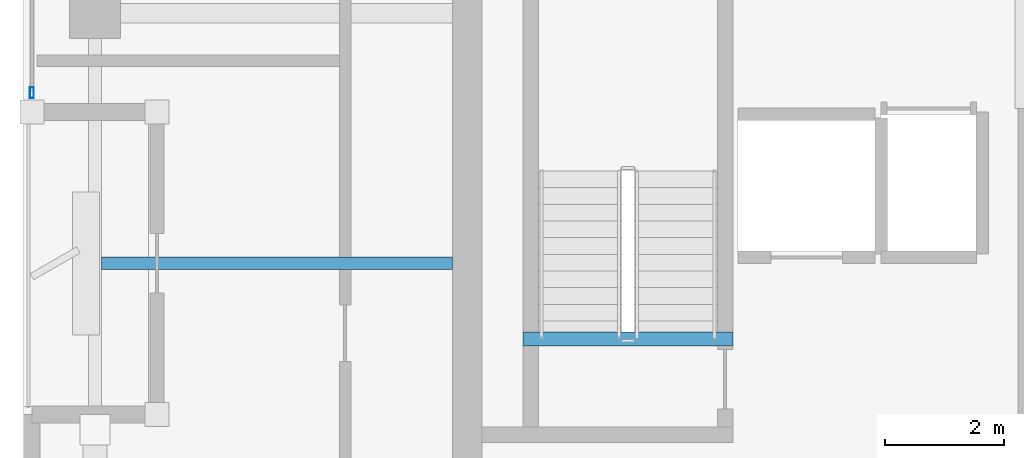
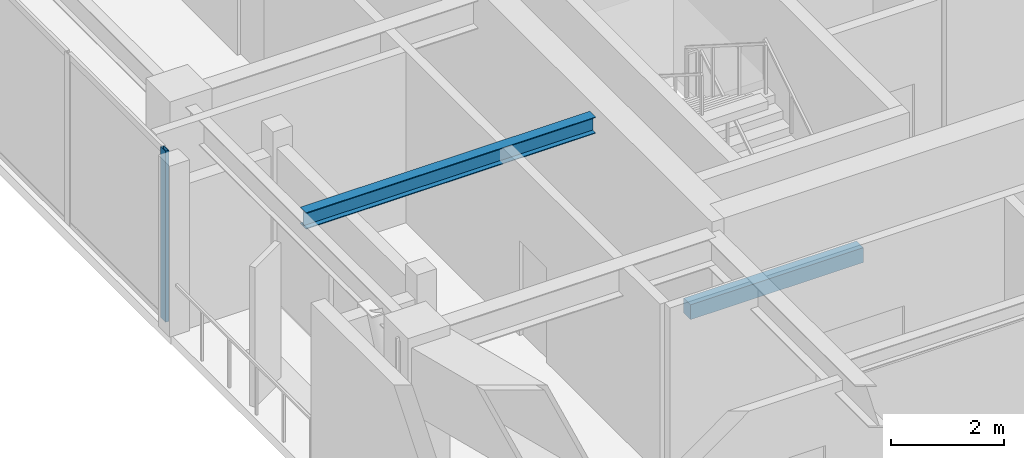
# One storey, part 2 of 16: 2 beams, 1 member, 1 element without a shape of its own.
"""IFC4 building model written with IfcOpenShell, lengths in metres."""

import ifcopenshell
import ifcopenshell.guid

model = None  # the IFC model being written
_history = None  # IfcOwnerHistory: only IFC2X3 demands one
_inside = {}  # id of a spatial element -> (the spatial element, [elements in it])
_under = {}  # id of a project, library or spatial element -> (it, [spatial elements below it])
_declared = {}  # id of a project -> (the project, [libraries it declares])
_typed = {}  # id of a type object -> (the type object, [elements of that type])
_made_of = {}  # id of a material, layer set ... -> (it, [elements and type objects made of it])


def new_model(schema):
    """Start an empty IFC model of exactly this schema.

    Asked for "IFC4X3", IfcOpenShell would pick the latest addendum, in which some entities
    have other attributes; the version numbers below select the first issue.
    IFC2X3 requires an IfcOwnerHistory on every rooted entity: one is made here for all.
    """
    global model, _history
    if schema == "IFC4X3":
        model = ifcopenshell.file(schema_version=(4, 3, 0, 0))
    else:
        model = ifcopenshell.file(schema=schema)
    _inside.clear()
    _under.clear()
    _declared.clear()
    _typed.clear()
    _made_of.clear()
    _history = None
    if model.schema == "IFC2X3":
        org = make("IfcOrganization", Name="unknown")
        user = make(
            "IfcPersonAndOrganization",
            ThePerson=make("IfcPerson", FamilyName="unknown"),
            TheOrganization=org,
        )
        app = make(
            "IfcApplication",
            ApplicationDeveloper=org,
            Version="unknown",
            ApplicationFullName="unknown",
            ApplicationIdentifier="unknown",
        )
        _history = make(
            "IfcOwnerHistory",
            OwningUser=user,
            OwningApplication=app,
            ChangeAction="ADDED",
            CreationDate=0,
        )
    return model


def make(cls, **values):
    """One entity of the class cls with the attributes given. An attribute that is None is left unset."""
    return model.create_entity(
        cls, **{name: value for name, value in values.items() if value is not None}
    )


def rooted(cls, **values):
    """An entity with a GlobalId (a new one), such as an element, a storey or a relation."""
    return make(cls, GlobalId=ifcopenshell.guid.new(), OwnerHistory=_history, **values)


def si_unit(unit_type, name, prefix=None):
    """IfcSIUnit, for example si_unit("LENGTHUNIT", "METRE", prefix="MILLI")."""
    return make("IfcSIUnit", UnitType=unit_type, Prefix=prefix, Name=name)


def assignment(units):
    """IfcUnitAssignment: the units of a project."""
    return None if units is None else make("IfcUnitAssignment", Units=units)


def point(xyz):
    """IfcCartesianPoint."""
    return None if xyz is None else make("IfcCartesianPoint", Coordinates=xyz)


def direction(xyz):
    """IfcDirection."""
    return None if xyz is None else make("IfcDirection", DirectionRatios=xyz)


def frame(location, z_axis=None, x_axis=None):
    """IfcAxis2Placement3D, a coordinate frame: its origin and axes. An axis left out is left unset."""
    return make(
        "IfcAxis2Placement3D",
        Location=point(location),
        Axis=direction(z_axis),
        RefDirection=direction(x_axis),
    )


def frame_2d(location, x_axis=None):
    """IfcAxis2Placement2D, a coordinate frame in the plane: its origin and x axis."""
    return make(
        "IfcAxis2Placement2D", Location=point(location), RefDirection=direction(x_axis)
    )


def origin():
    """The frame at (0, 0, 0) with its axes left unset."""
    return frame((0.0, 0.0, 0.0))


def origin_2d():
    """The frame at (0, 0) in the plane with its x axis left unset."""
    return frame_2d((0.0, 0.0))


def place(relative_to, where):
    """IfcLocalPlacement: puts the frame where relative to a parent placement (None: the world)."""
    return make(
        "IfcLocalPlacement", PlacementRelTo=relative_to, RelativePlacement=where
    )


def context(
    kind, dimensions, precision=None, world=None, true_north=None, identifier=None
):
    """IfcGeometricRepresentationContext, for example the 3D "Model" context."""
    return make(
        "IfcGeometricRepresentationContext",
        ContextIdentifier=identifier,
        ContextType=kind,
        CoordinateSpaceDimension=dimensions,
        Precision=precision,
        WorldCoordinateSystem=world,
        TrueNorth=true_north,
    )


def subcontext(parent, identifier, kind, view, scale=None):
    """IfcGeometricRepresentationSubContext, for example "Body" below "Model"."""
    return make(
        "IfcGeometricRepresentationSubContext",
        ContextIdentifier=identifier,
        ContextType=kind,
        ParentContext=parent,
        TargetScale=scale,
        TargetView=view,
    )


def project(units=None, contexts=None):
    """IfcProject with its units and contexts."""
    return rooted(
        "IfcProject",
        Name="project",
        RepresentationContexts=contexts,
        UnitsInContext=assignment(units),
    )


def spatial(cls, under=None, at=None, **own):
    """A site, building, storey or space (cls), placed at a placement, below another one or the project."""
    s = rooted(cls, ObjectPlacement=at, **own)
    if under is not None:
        _under.setdefault(under.id(), (under, []))[1].append(s)
    return s


def profile(cls, at=None, kind="AREA", **sizes):
    """A parametric profile (cls). Its sizes go by their IFC names, for example OverallWidth=200.0."""
    return make(cls, ProfileType=kind, Position=at, **sizes)


def rectangle(**sizes):
    """IfcRectangleProfileDef."""
    return profile("IfcRectangleProfileDef", **sizes)


def hollow_rectangle(**sizes):
    """IfcRectangleHollowProfileDef."""
    return profile("IfcRectangleHollowProfileDef", **sizes)


def i_section(**sizes):
    """IfcIShapeProfileDef."""
    return profile("IfcIShapeProfileDef", **sizes)


def extrude(swept, where, along, depth):
    """IfcExtrudedAreaSolid: the profile swept, set in the frame where, extruded along a direction by depth."""
    return make(
        "IfcExtrudedAreaSolid",
        SweptArea=swept,
        Position=where,
        ExtrudedDirection=direction(along),
        Depth=depth,
    )


def shape(context_of_items, identifier, shape_type, items):
    """IfcShapeRepresentation: the items that make up one representation, for example the "Body"."""
    return make(
        "IfcShapeRepresentation",
        ContextOfItems=context_of_items,
        RepresentationIdentifier=identifier,
        RepresentationType=shape_type,
        Items=items,
    )


def material(Name=None, Category=None):
    """IfcMaterial."""
    return make("IfcMaterial", Name=Name, Category=Category)


def layer(
    of_material, thickness, ventilated=None, Name=None, Category=None, Priority=None
):
    """IfcMaterialLayer: one layer of a wall or slab, of a material (None: an air gap)."""
    return make(
        "IfcMaterialLayer",
        Material=of_material,
        LayerThickness=thickness,
        IsVentilated=ventilated,
        Name=Name,
        Category=Category,
        Priority=Priority,
    )


def layer_set(layers, Name=None):
    """IfcMaterialLayerSet."""
    return make("IfcMaterialLayerSet", MaterialLayers=layers, LayerSetName=Name)


def material_profile(
    of_material, cross_section, Name=None, Category=None, Priority=None
):
    """IfcMaterialProfile: a cross section and its material."""
    return make(
        "IfcMaterialProfile",
        Name=Name,
        Material=of_material,
        Profile=cross_section,
        Priority=Priority,
        Category=Category,
    )


def profile_set(profiles, Name=None, composite=None):
    """IfcMaterialProfileSet."""
    return make(
        "IfcMaterialProfileSet",
        Name=Name,
        MaterialProfiles=profiles,
        CompositeProfile=composite,
    )


def made_of(thing, what):
    """Note that an element or type object is made of a material, layer set ...; save() writes the relation."""
    if what is not None:
        _made_of.setdefault(what.id(), (what, []))[1].append(thing)
    return thing


def type_object(cls, material=None, **own):
    """A type object (cls), such as IfcWallType, which elements share."""
    return made_of(rooted(cls, **own), material)


def element(
    cls,
    number,
    at=None,
    inside=None,
    cuts=None,
    type_object=None,
    material=None,
    context=None,
    identifier="Body",
    shape_type=None,
    held_by="IfcProductDefinitionShape",
    body=None,
    shapes=None,
    **own,
):
    """One element of the class cls, such as IfcWall. Its Tag is "e" and its number.

    at: its placement. inside: the storey or other place that contains it. cuts: it is an
    opening in that element (IfcRelVoidsElement). A single representation is given by context,
    identifier, shape_type and body (its items); several are given by shapes. held_by: the class
    of the entity that holds the representations. save() writes the other relations.
    """
    e = rooted(cls, Tag="e%d" % number, ObjectPlacement=at, **own)
    if body is not None:
        shapes = [shape(context, identifier, shape_type, body)]
    if shapes is not None:
        e.Representation = make(held_by, Representations=shapes)
    if inside is not None:
        _inside.setdefault(inside.id(), (inside, []))[1].append(e)
    if cuts is not None:
        rooted(
            "IfcRelVoidsElement", RelatingBuildingElement=cuts, RelatedOpeningElement=e
        )
    if type_object is not None:
        _typed.setdefault(type_object.id(), (type_object, []))[1].append(e)
    return made_of(e, material)


def aggregate(whole, parts):
    """IfcRelAggregates: a whole, such as a stair, and the parts it consists of."""
    return rooted("IfcRelAggregates", RelatingObject=whole, RelatedObjects=parts)


def save(model, path):
    """Write the relations noted so far, then the file.

    IfcRelAggregates (storeys below a building ...), IfcRelContainedInSpatialStructure (elements
    in a storey), IfcRelDefinesByType, IfcRelAssociatesMaterial and IfcRelDeclares: one each for
    every whole, place, type object, material and project.
    """
    for whole, parts in _under.values():
        aggregate(whole, parts)
    for where, things in _inside.values():
        rooted(
            "IfcRelContainedInSpatialStructure",
            RelatedElements=things,
            RelatingStructure=where,
        )
    for kind, things in _typed.values():
        rooted("IfcRelDefinesByType", RelatedObjects=things, RelatingType=kind)
    for what, things in _made_of.values():
        rooted("IfcRelAssociatesMaterial", RelatedObjects=things, RelatingMaterial=what)
    for by, libraries in _declared.values():
        rooted("IfcRelDeclares", RelatingContext=by, RelatedDefinitions=libraries)
    model.write(path)


model = new_model("IFC4")

# Units and contexts
model_context = context("Model", 3, precision=1e-05, world=origin(), true_north=direction((0.0, 1.0)))
body_context = subcontext(model_context, "Body", "Model", "MODEL_VIEW")
ifc_project = project(units=[si_unit("LENGTHUNIT", "METRE"), si_unit("AREAUNIT", "SQUARE_METRE"), si_unit("VOLUMEUNIT", "CUBIC_METRE"), si_unit("PLANEANGLEUNIT", "RADIAN"), si_unit("MASSUNIT", "GRAM", prefix="KILO")], contexts=[model_context])

# Site, building, storey
site_placement = place(None, origin())
site = spatial("IfcSite", under=ifc_project, at=site_placement, CompositionType="ELEMENT")
building_placement = place(site_placement, origin())
building = spatial("IfcBuilding", under=site, at=building_placement, Name="Kiyonajd Concourse Tower", CompositionType="ELEMENT")
storey_placement = place(building_placement, frame((0.0, 0.0, 333.60009765625)))
storey = spatial("IfcBuildingStorey", under=building, at=storey_placement, Name="L84", CompositionType="ELEMENT", Elevation=333.60009765625)

# Beams
ifc_material_1 = material(Name="Steel ASTM A992 Grade 50", Category="steel")
ifc_material_profile_1 = material_profile(ifc_material_1, i_section(OverallWidth=0.205078125, OverallDepth=0.35400390625, WebThickness=0.009521484375, FlangeThickness=0.016845703125, at=origin_2d()), Name="W360X79")
ifc_profile_set_1 = profile_set([ifc_material_profile_1], Name="Steel ASTM A992 Grade 50")
beam_type_1 = type_object("IfcBeamType", Name="BM-JST-360", PredefinedType="JOIST", material=ifc_profile_set_1)
beam_1_placement = place(storey_placement, frame((26.505615234375, 31.800048828125, 3.5029296875), z_axis=(1.0, 0.0, 0.0), x_axis=(0.0, 1.0, 0.0)))
element("IfcBeam", 1, at=beam_1_placement, inside=storey, type_object=beam_type_1, Name="L84 West Secondary Floor Joist", PredefinedType="JOIST", context=body_context, shape_type="SweptSolid", body=[
    extrude(i_section(OverallWidth=0.205078125, OverallDepth=0.35400390625, WebThickness=0.009521484375, FlangeThickness=0.016845703125, at=origin_2d()), origin(), (0.0, 0.0, 1.0), 5.894287109375),
])
ifc_material_2 = material(Name="Concrete C50/60", Category="concrete")
ifc_material_profile_2 = material_profile(ifc_material_2, rectangle(XDim=0.239990234375, YDim=0.320068359375, at=origin_2d()), Name="RCBM-240x320")
ifc_profile_set_2 = profile_set([ifc_material_profile_2], Name="Concrete C50/60")
beam_type_2 = type_object("IfcBeamType", Name="BM-LNT-250", PredefinedType="LINTEL", material=ifc_profile_set_2)
beam_2_placement = place(storey_placement, frame((33.590087890625, 30.530029296875, -0.16015625), z_axis=(1.0, 0.0, 0.0), x_axis=(0.0, 1.0, 0.0)))
element("IfcBeam", 2, at=beam_2_placement, inside=storey, type_object=beam_type_2, Name="L84 Stair ST1 Threshold Support Beam", PredefinedType="LINTEL", context=body_context, shape_type="SweptSolid", body=[
    extrude(rectangle(XDim=0.239990234375, YDim=0.320068359375, at=origin_2d()), origin(), (0.0, 0.0, 1.0), 3.52001953125),
])

# Curtain wall, member
ifc_material_3 = material(Name="Thermally Broken Anodised Aluminium", Category="aluminium")
ifc_layer = layer(ifc_material_3, 0.179931640625)
ifc_layer_set = layer_set([ifc_layer], Name="Thermally Broken Anodised Aluminium")
curtain_wall_type = type_object("IfcCurtainWallType", Name="CW-SYS-04", PredefinedType="NOTDEFINED", material=ifc_layer_set)
curtain_wall_placement = place(storey_placement, origin())
curtain_wall = element("IfcCurtainWall", 3, at=curtain_wall_placement, inside=storey, type_object=curtain_wall_type, Name="L84 Unitised Curtain Wall CW4", PredefinedType="NOTDEFINED")
ifc_material_profile_3 = material_profile(ifc_material_3, hollow_rectangle(XDim=0.06494140625, YDim=0.179931640625, WallThickness=0.00390625, at=origin_2d()), Name="MULL-65x180")
ifc_profile_set_3 = profile_set([ifc_material_profile_3], Name="Thermally Broken Anodised Aluminium")
member_type = type_object("IfcMemberType", Name="MB-CW-MULL1", PredefinedType="MULLION", material=ifc_profile_set_3)
member_placement = place(storey_placement, frame((25.340087890625, 34.66259765625, 0.0), z_axis=(0.0, 0.0, 1.0), x_axis=(-1.0, 0.0, 0.0)))
member = element("IfcMember", 4, at=member_placement, type_object=member_type, Name="CW4 mullion 1", PredefinedType="MULLION", context=body_context, shape_type="SweptSolid", body=[
    extrude(hollow_rectangle(XDim=0.06494140625, YDim=0.179931640625, WallThickness=0.00390625, at=origin_2d()), origin(), (0.0, 0.0, 1.0), 3.679931640625),
])
aggregate(curtain_wall, [member])

save(model, "model.ifc")
